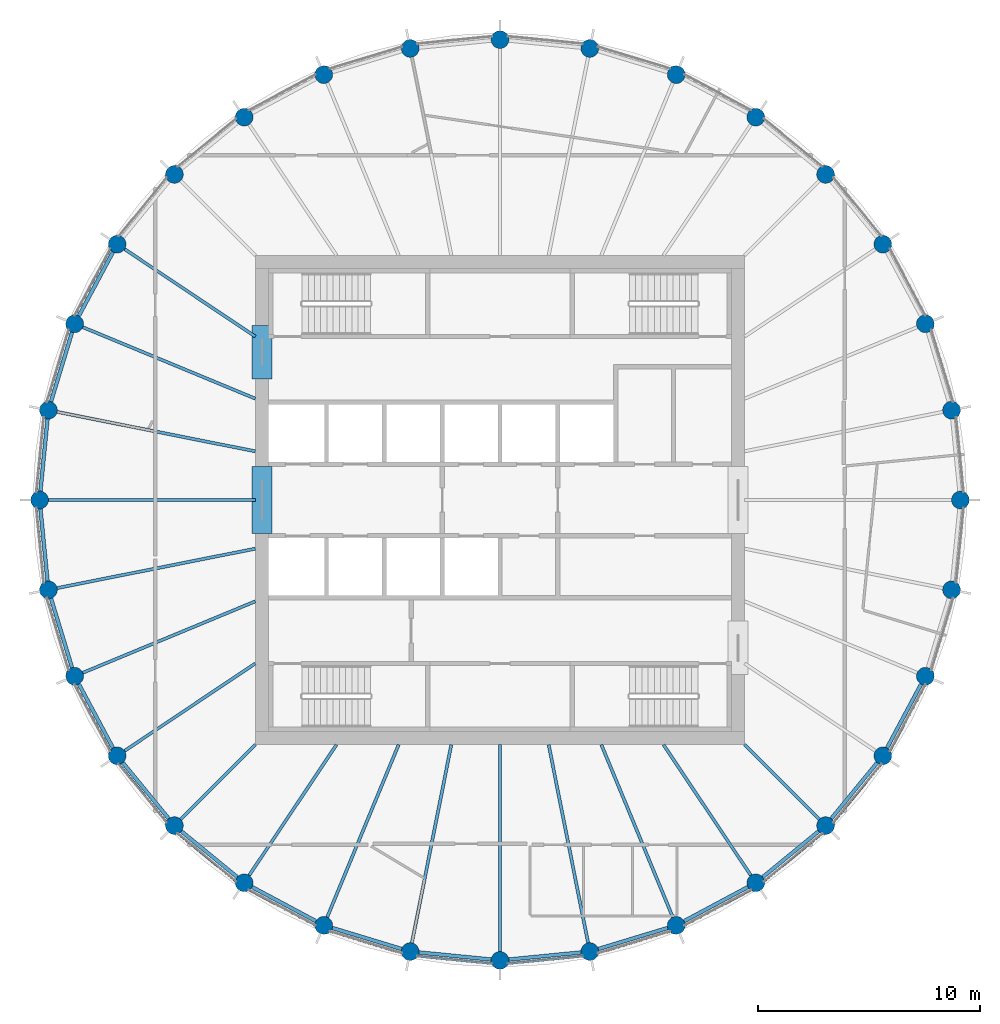
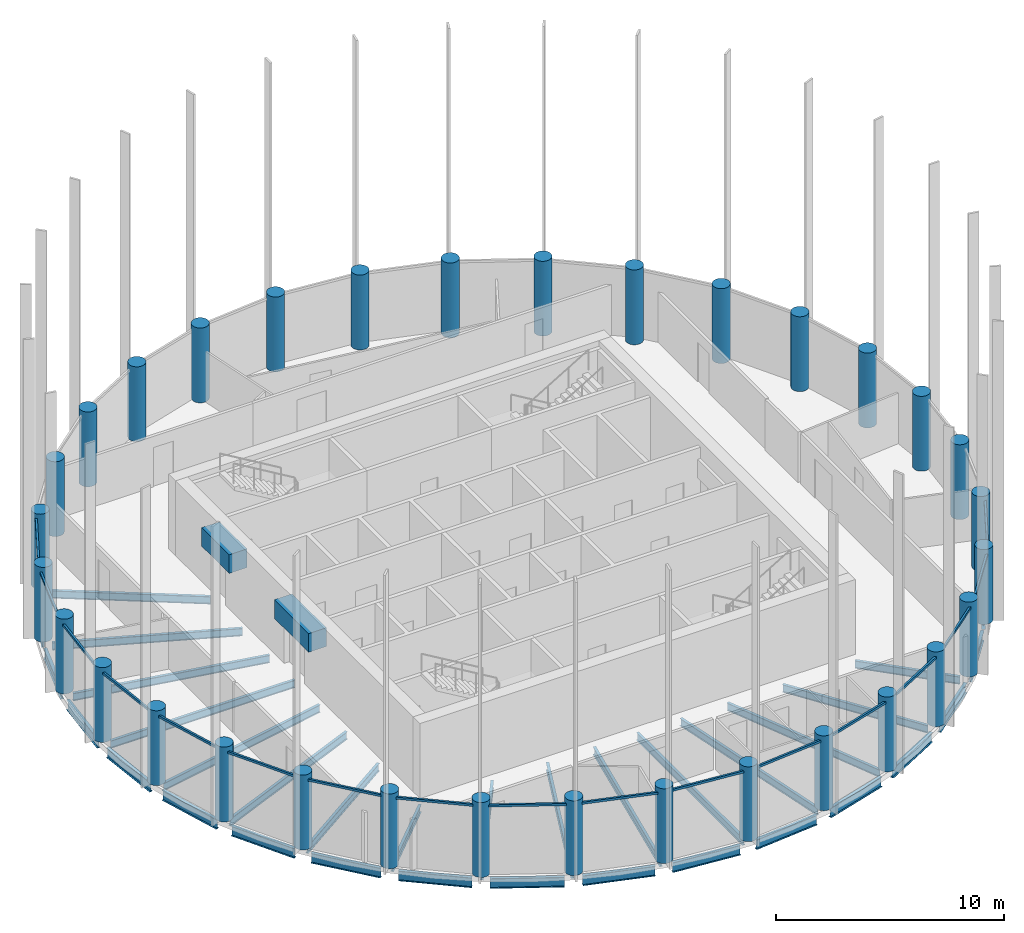
# One storey, part 1 of 7: 35 beams, 32 columns, 17 members, 17 elements without a shape of their own.
"""IFC4 building model written with IfcOpenShell, lengths in metres."""

import ifcopenshell
import ifcopenshell.guid

model = None  # the IFC model being written
_history = None  # IfcOwnerHistory: only IFC2X3 demands one
_inside = {}  # id of a spatial element -> (the spatial element, [elements in it])
_under = {}  # id of a project, library or spatial element -> (it, [spatial elements below it])
_declared = {}  # id of a project -> (the project, [libraries it declares])
_typed = {}  # id of a type object -> (the type object, [elements of that type])
_made_of = {}  # id of a material, layer set ... -> (it, [elements and type objects made of it])


def new_model(schema):
    """Start an empty IFC model of exactly this schema.

    Asked for "IFC4X3", IfcOpenShell would pick the latest addendum, in which some entities
    have other attributes; the version numbers below select the first issue.
    IFC2X3 requires an IfcOwnerHistory on every rooted entity: one is made here for all.
    """
    global model, _history
    if schema == "IFC4X3":
        model = ifcopenshell.file(schema_version=(4, 3, 0, 0))
    else:
        model = ifcopenshell.file(schema=schema)
    _inside.clear()
    _under.clear()
    _declared.clear()
    _typed.clear()
    _made_of.clear()
    _history = None
    if model.schema == "IFC2X3":
        org = make("IfcOrganization", Name="unknown")
        user = make(
            "IfcPersonAndOrganization",
            ThePerson=make("IfcPerson", FamilyName="unknown"),
            TheOrganization=org,
        )
        app = make(
            "IfcApplication",
            ApplicationDeveloper=org,
            Version="unknown",
            ApplicationFullName="unknown",
            ApplicationIdentifier="unknown",
        )
        _history = make(
            "IfcOwnerHistory",
            OwningUser=user,
            OwningApplication=app,
            ChangeAction="ADDED",
            CreationDate=0,
        )
    return model


def make(cls, **values):
    """One entity of the class cls with the attributes given. An attribute that is None is left unset."""
    return model.create_entity(
        cls, **{name: value for name, value in values.items() if value is not None}
    )


def rooted(cls, **values):
    """An entity with a GlobalId (a new one), such as an element, a storey or a relation."""
    return make(cls, GlobalId=ifcopenshell.guid.new(), OwnerHistory=_history, **values)


def si_unit(unit_type, name, prefix=None):
    """IfcSIUnit, for example si_unit("LENGTHUNIT", "METRE", prefix="MILLI")."""
    return make("IfcSIUnit", UnitType=unit_type, Prefix=prefix, Name=name)


def assignment(units):
    """IfcUnitAssignment: the units of a project."""
    return None if units is None else make("IfcUnitAssignment", Units=units)


def point(xyz):
    """IfcCartesianPoint."""
    return None if xyz is None else make("IfcCartesianPoint", Coordinates=xyz)


def direction(xyz):
    """IfcDirection."""
    return None if xyz is None else make("IfcDirection", DirectionRatios=xyz)


def frame(location, z_axis=None, x_axis=None):
    """IfcAxis2Placement3D, a coordinate frame: its origin and axes. An axis left out is left unset."""
    return make(
        "IfcAxis2Placement3D",
        Location=point(location),
        Axis=direction(z_axis),
        RefDirection=direction(x_axis),
    )


def frame_2d(location, x_axis=None):
    """IfcAxis2Placement2D, a coordinate frame in the plane: its origin and x axis."""
    return make(
        "IfcAxis2Placement2D", Location=point(location), RefDirection=direction(x_axis)
    )


def origin():
    """The frame at (0, 0, 0) with its axes left unset."""
    return frame((0.0, 0.0, 0.0))


def origin_2d():
    """The frame at (0, 0) in the plane with its x axis left unset."""
    return frame_2d((0.0, 0.0))


def place(relative_to, where):
    """IfcLocalPlacement: puts the frame where relative to a parent placement (None: the world)."""
    return make(
        "IfcLocalPlacement", PlacementRelTo=relative_to, RelativePlacement=where
    )


def context(
    kind, dimensions, precision=None, world=None, true_north=None, identifier=None
):
    """IfcGeometricRepresentationContext, for example the 3D "Model" context."""
    return make(
        "IfcGeometricRepresentationContext",
        ContextIdentifier=identifier,
        ContextType=kind,
        CoordinateSpaceDimension=dimensions,
        Precision=precision,
        WorldCoordinateSystem=world,
        TrueNorth=true_north,
    )


def subcontext(parent, identifier, kind, view, scale=None):
    """IfcGeometricRepresentationSubContext, for example "Body" below "Model"."""
    return make(
        "IfcGeometricRepresentationSubContext",
        ContextIdentifier=identifier,
        ContextType=kind,
        ParentContext=parent,
        TargetScale=scale,
        TargetView=view,
    )


def project(units=None, contexts=None):
    """IfcProject with its units and contexts."""
    return rooted(
        "IfcProject",
        Name="project",
        RepresentationContexts=contexts,
        UnitsInContext=assignment(units),
    )


def spatial(cls, under=None, at=None, **own):
    """A site, building, storey or space (cls), placed at a placement, below another one or the project."""
    s = rooted(cls, ObjectPlacement=at, **own)
    if under is not None:
        _under.setdefault(under.id(), (under, []))[1].append(s)
    return s


def profile(cls, at=None, kind="AREA", **sizes):
    """A parametric profile (cls). Its sizes go by their IFC names, for example OverallWidth=200.0."""
    return make(cls, ProfileType=kind, Position=at, **sizes)


def rectangle(**sizes):
    """IfcRectangleProfileDef."""
    return profile("IfcRectangleProfileDef", **sizes)


def circle(**sizes):
    """IfcCircleProfileDef."""
    return profile("IfcCircleProfileDef", **sizes)


def i_section(**sizes):
    """IfcIShapeProfileDef."""
    return profile("IfcIShapeProfileDef", **sizes)


def extrude(swept, where, along, depth):
    """IfcExtrudedAreaSolid: the profile swept, set in the frame where, extruded along a direction by depth."""
    return make(
        "IfcExtrudedAreaSolid",
        SweptArea=swept,
        Position=where,
        ExtrudedDirection=direction(along),
        Depth=depth,
    )


def shape(context_of_items, identifier, shape_type, items):
    """IfcShapeRepresentation: the items that make up one representation, for example the "Body"."""
    return make(
        "IfcShapeRepresentation",
        ContextOfItems=context_of_items,
        RepresentationIdentifier=identifier,
        RepresentationType=shape_type,
        Items=items,
    )


def material(Name=None, Category=None):
    """IfcMaterial."""
    return make("IfcMaterial", Name=Name, Category=Category)


def material_profile(
    of_material, cross_section, Name=None, Category=None, Priority=None
):
    """IfcMaterialProfile: a cross section and its material."""
    return make(
        "IfcMaterialProfile",
        Name=Name,
        Material=of_material,
        Profile=cross_section,
        Priority=Priority,
        Category=Category,
    )


def profile_set(profiles, Name=None, composite=None):
    """IfcMaterialProfileSet."""
    return make(
        "IfcMaterialProfileSet",
        Name=Name,
        MaterialProfiles=profiles,
        CompositeProfile=composite,
    )


def made_of(thing, what):
    """Note that an element or type object is made of a material, layer set ...; save() writes the relation."""
    if what is not None:
        _made_of.setdefault(what.id(), (what, []))[1].append(thing)
    return thing


def type_object(cls, material=None, **own):
    """A type object (cls), such as IfcWallType, which elements share."""
    return made_of(rooted(cls, **own), material)


def element(
    cls,
    number,
    at=None,
    inside=None,
    cuts=None,
    type_object=None,
    material=None,
    context=None,
    identifier="Body",
    shape_type=None,
    held_by="IfcProductDefinitionShape",
    body=None,
    shapes=None,
    **own,
):
    """One element of the class cls, such as IfcWall. Its Tag is "e" and its number.

    at: its placement. inside: the storey or other place that contains it. cuts: it is an
    opening in that element (IfcRelVoidsElement). A single representation is given by context,
    identifier, shape_type and body (its items); several are given by shapes. held_by: the class
    of the entity that holds the representations. save() writes the other relations.
    """
    e = rooted(cls, Tag="e%d" % number, ObjectPlacement=at, **own)
    if body is not None:
        shapes = [shape(context, identifier, shape_type, body)]
    if shapes is not None:
        e.Representation = make(held_by, Representations=shapes)
    if inside is not None:
        _inside.setdefault(inside.id(), (inside, []))[1].append(e)
    if cuts is not None:
        rooted(
            "IfcRelVoidsElement", RelatingBuildingElement=cuts, RelatedOpeningElement=e
        )
    if type_object is not None:
        _typed.setdefault(type_object.id(), (type_object, []))[1].append(e)
    return made_of(e, material)


def aggregate(whole, parts):
    """IfcRelAggregates: a whole, such as a stair, and the parts it consists of."""
    return rooted("IfcRelAggregates", RelatingObject=whole, RelatedObjects=parts)


def save(model, path):
    """Write the relations noted so far, then the file.

    IfcRelAggregates (storeys below a building ...), IfcRelContainedInSpatialStructure (elements
    in a storey), IfcRelDefinesByType, IfcRelAssociatesMaterial and IfcRelDeclares: one each for
    every whole, place, type object, material and project.
    """
    for whole, parts in _under.values():
        aggregate(whole, parts)
    for where, things in _inside.values():
        rooted(
            "IfcRelContainedInSpatialStructure",
            RelatedElements=things,
            RelatingStructure=where,
        )
    for kind, things in _typed.values():
        rooted("IfcRelDefinesByType", RelatedObjects=things, RelatingType=kind)
    for what, things in _made_of.values():
        rooted("IfcRelAssociatesMaterial", RelatedObjects=things, RelatingMaterial=what)
    for by, libraries in _declared.values():
        rooted("IfcRelDeclares", RelatingContext=by, RelatedDefinitions=libraries)
    model.write(path)


model = new_model("IFC4")

# Units and contexts
model_context = context("Model", 3, precision=1e-05, world=origin(), true_north=direction((0.0, 1.0)))
body_context = subcontext(model_context, "Body", "Model", "MODEL_VIEW")
ifc_project = project(units=[si_unit("LENGTHUNIT", "METRE"), si_unit("AREAUNIT", "SQUARE_METRE"), si_unit("VOLUMEUNIT", "CUBIC_METRE"), si_unit("PLANEANGLEUNIT", "RADIAN"), si_unit("MASSUNIT", "GRAM", prefix="KILO")], contexts=[model_context])

# Site, building, storey
site_placement = place(None, origin())
site = spatial("IfcSite", under=ifc_project, at=site_placement, CompositionType="ELEMENT")
building_placement = place(site_placement, origin())
building = spatial("IfcBuilding", under=site, at=building_placement, Name="Corvane Civic Tower", CompositionType="ELEMENT")
storey_placement = place(building_placement, frame((0.0, 0.0, 340.5)))
storey = spatial("IfcBuildingStorey", under=building, at=storey_placement, Name="L81", CompositionType="ELEMENT", Elevation=340.5)

# Columns
ifc_material_1 = material(Name="Concrete C60/75", Category="concrete")
ifc_material_profile_1 = material_profile(ifc_material_1, circle(Radius=0.39990234375, at=origin_2d()), Name="COLUMN 800")
ifc_profile_set_1 = profile_set([ifc_material_profile_1], Name="Concrete C60/75")
column_type = type_object("IfcColumnType", Name="RC COLUMN COLUMN 800", PredefinedType="COLUMN", material=ifc_profile_set_1)
for number, where, z_axis, x_axis, name in (
    (1, (0.0, 20.699951171875, 0.0), (0.0, 0.0, 1.0), (1.0, 0.0, 0.0), "COL-L81-F01"),
    (2, (4.038330078125, 20.30224609375, 0.0), (0.0, 0.0, 1.0), (1.0, 0.0, 0.0), "COL-L81-F02"),
    (3, (7.921630859375, 19.124267578125, 0.0), (0.0, 0.0, 1.0), (1.0, 0.0, 0.0), "COL-L81-F03"),
    (4, (11.500244140625, 17.21142578125, 0.0), (0.0, 0.0, 1.0), (1.0, 0.0, 0.0), "COL-L81-F04"),
    (5, (14.63720703125, 14.63720703125, 0.0), (0.0, 0.0, 1.0), (1.0, 0.0, 0.0), "COL-L81-F05"),
    (6, (17.21142578125, 11.500244140625, 0.0), (0.0, 0.0, 1.0), (1.0, 0.0, 0.0), "COL-L81-F06"),
    (7, (19.124267578125, 7.921630859375, 0.0), (0.0, 0.0, 1.0), (1.0, 0.0, 0.0), "COL-L81-F07"),
    (8, (20.30224609375, 4.038330078125, 0.0), (0.0, 0.0, 1.0), (1.0, 0.0, 0.0), "COL-L81-F08"),
    (9, (20.699951171875, 0.0, 0.0), (0.0, 0.0, 1.0), (1.0, 0.0, 0.0), "COL-L81-F09"),
    (10, (20.30224609375, -4.038330078125, 0.0), (0.0, 0.0, 1.0), (1.0, 0.0, 0.0), "COL-L81-F10"),
    (11, (19.124267578125, -7.921630859375, 0.0), (0.0, 0.0, 1.0), (1.0, 0.0, 0.0), "COL-L81-F11"),
    (12, (17.21142578125, -11.500244140625, 0.0), (0.0, 0.0, 1.0), (1.0, 0.0, 0.0), "COL-L81-F12"),
    (13, (14.63720703125, -14.63720703125, 0.0), (0.0, 0.0, 1.0), (1.0, 0.0, 0.0), "COL-L81-F13"),
    (14, (11.500244140625, -17.21142578125, 0.0), (0.0, 0.0, 1.0), (1.0, 0.0, 0.0), "COL-L81-F14"),
    (15, (7.921630859375, -19.124267578125, 0.0), (0.0, 0.0, 1.0), (1.0, 0.0, 0.0), "COL-L81-F15"),
    (16, (4.038330078125, -20.30224609375, 0.0), (0.0, 0.0, 1.0), (1.0, 0.0, 0.0), "COL-L81-F16"),
    (17, (0.0, -20.699951171875, 0.0), (0.0, 0.0, 1.0), (1.0, 0.0, 0.0), "COL-L81-F17"),
    (18, (-4.038330078125, -20.30224609375, 0.0), (0.0, 0.0, 1.0), (1.0, 0.0, 0.0), "COL-L81-F18"),
    (19, (-7.921630859375, -19.124267578125, 0.0), (0.0, 0.0, 1.0), (1.0, 0.0, 0.0), "COL-L81-F19"),
    (20, (-11.500244140625, -17.21142578125, 0.0), (0.0, 0.0, 1.0), (1.0, 0.0, 0.0), "COL-L81-F20"),
    (21, (-14.63720703125, -14.63720703125, 0.0), (0.0, 0.0, 1.0), (1.0, 0.0, 0.0), "COL-L81-F21"),
    (22, (-17.21142578125, -11.500244140625, 0.0), (0.0, 0.0, 1.0), (1.0, 0.0, 0.0), "COL-L81-F22"),
    (23, (-19.124267578125, -7.921630859375, 0.0), (0.0, 0.0, 1.0), (1.0, 0.0, 0.0), "COL-L81-F23"),
    (24, (-20.30224609375, -4.038330078125, 0.0), (0.0, 0.0, 1.0), (1.0, 0.0, 0.0), "COL-L81-F24"),
    (25, (-20.699951171875, 0.0, 0.0), (0.0, 0.0, 1.0), (1.0, 0.0, 0.0), "COL-L81-F25"),
    (26, (-20.30224609375, 4.038330078125, 0.0), (0.0, 0.0, 1.0), (1.0, 0.0, 0.0), "COL-L81-F26"),
    (27, (-19.124267578125, 7.921630859375, 0.0), (0.0, 0.0, 1.0), (1.0, 0.0, 0.0), "COL-L81-F27"),
    (28, (-17.21142578125, 11.500244140625, 0.0), (0.0, 0.0, 1.0), (1.0, 0.0, 0.0), "COL-L81-F28"),
    (29, (-14.63720703125, 14.63720703125, 0.0), (0.0, 0.0, 1.0), (1.0, 0.0, 0.0), "COL-L81-F29"),
    (30, (-11.500244140625, 17.21142578125, 0.0), (0.0, 0.0, 1.0), (1.0, 0.0, 0.0), "COL-L81-F30"),
    (31, (-7.921630859375, 19.124267578125, 0.0), (0.0, 0.0, 1.0), (1.0, 0.0, 0.0), "COL-L81-F31"),
    (32, (-4.038330078125, 20.30224609375, 0.0), (0.0, 0.0, 1.0), (1.0, 0.0, 0.0), "COL-L81-F32"),
):
    element("IfcColumn", number, at=place(storey_placement, frame(where, z_axis=z_axis, x_axis=x_axis)), inside=storey, type_object=column_type, Name=name, PredefinedType="COLUMN", context=body_context, shape_type="SweptSolid", body=[
        extrude(circle(Radius=0.39990234375, at=origin_2d()), origin(), (0.0, 0.0, 1.0), 4.0),
    ])

# Beams
ifc_material_2 = material(Name="Concrete C40/50", Category="concrete")
ifc_material_profile_2 = material_profile(ifc_material_2, rectangle(XDim=0.89990234375, YDim=1.0, at=origin_2d()), Name="COUPLING BEAM 900X1000")
ifc_profile_set_2 = profile_set([ifc_material_profile_2], Name="Concrete C40/50")
beam_type_1 = type_object("IfcBeamType", Name="COUPLING BEAM COUPLING BEAM 900X1000", PredefinedType="BEAM", material=ifc_profile_set_2)
beam_1_placement = place(storey_placement, frame((-10.699951171875, -1.5, 2.60009765625), z_axis=(0.0, 1.0, 0.0), x_axis=(-1.0, 0.0, 0.0)))
element("IfcBeam", 33, at=beam_1_placement, inside=storey, type_object=beam_type_1, Name="BM-L81-cpl-CW-LW", PredefinedType="BEAM", context=body_context, shape_type="SweptSolid", body=[
    extrude(rectangle(XDim=0.89990234375, YDim=1.0, at=origin_2d()), origin(), (0.0, 0.0, 1.0), 3.0),
])
beam_2_placement = place(storey_placement, frame((-10.699951171875, 5.449951171875, 2.60009765625), z_axis=(0.0, 1.0, 0.0), x_axis=(-1.0, 0.0, 0.0)))
element("IfcBeam", 34, at=beam_2_placement, inside=storey, type_object=beam_type_1, Name="BM-L81-cpl-CW-WN", PredefinedType="BEAM", context=body_context, shape_type="SweptSolid", body=[
    extrude(rectangle(XDim=0.89990234375, YDim=1.0, at=origin_2d()), origin(), (0.0, 0.0, 1.0), 2.400146484375),
])
ifc_material_3 = material(Name="Steel ASTM A992 Gr 50", Category="steel")
ifc_material_profile_3 = material_profile(ifc_material_3, i_section(OverallWidth=0.165771484375, OverallDepth=0.5283203125, WebThickness=0.009765625, FlangeThickness=0.013671875, at=origin_2d()), Name="W21X50")
ifc_profile_set_3 = profile_set([ifc_material_profile_3], Name="Steel ASTM A992 Gr 50")
beam_type_2 = type_object("IfcBeamType", Name="EDGE BEAM W21X50", PredefinedType="BEAM", material=ifc_profile_set_3)
for number, where, z_axis, x_axis, name in (
    (35, (18.935791015625, -8.2744140625, -0.564208984375), (-0.471447618, -0.881894065907, 0.0), (0.881894065907, -0.471447618, 0.0), "BM-L81-E11"),
    (36, (16.957763671875, -11.8095703125, -0.564208984375), (-0.634424551454, -0.772984791903, 0.0), (0.772984791903, -0.634424551454, 0.0), "BM-L81-E12"),
    (37, (14.327880859375, -14.890869140625, -0.564208984375), (-0.772984791903, -0.634424551454, 0.0), (0.634424551454, -0.772984791903, 0.0), "BM-L81-E13"),
    (38, (11.1474609375, -17.39990234375, -0.564208984375), (-0.881894065907, -0.471447618, 0.0), (0.471447618, -0.881894065907, 0.0), "BM-L81-E14"),
    (39, (7.538818359375, -19.240478515625, -0.564208984375), (-0.956955679349, -0.290234091317, 0.0), (0.290234091317, -0.956955679349, 0.0), "BM-L81-E15"),
):
    element("IfcBeam", number, at=place(storey_placement, frame(where, z_axis=z_axis, x_axis=x_axis)), inside=storey, type_object=beam_type_2, Name=name, PredefinedType="BEAM", context=body_context, shape_type="SweptSolid", body=[
        extrude(i_section(OverallWidth=0.165771484375, OverallDepth=0.5283203125, WebThickness=0.009765625, FlangeThickness=0.013671875, at=origin_2d()), origin(), (0.0, 0.0, 1.0), 3.2578125),
    ])
for number, where, z_axis, x_axis, name in (
    (40, (3.640380859375, -20.341552734375, -0.564208984375), (-0.995192503142, -0.097938152369, 0.0), (0.097938152369, -0.995192503142, 0.0), "BM-L81-E16"),
    (41, (-0.39794921875, -20.66064453125, -0.564208984375), (-0.995192503142, 0.097938152369, 0.0), (-0.097938152369, -0.995192503142, 0.0), "BM-L81-E17"),
):
    element("IfcBeam", number, at=place(storey_placement, frame(where, z_axis=z_axis, x_axis=x_axis)), inside=storey, type_object=beam_type_2, Name=name, PredefinedType="BEAM", context=body_context, shape_type="SweptSolid", body=[
        extrude(i_section(OverallWidth=0.165771484375, OverallDepth=0.5283203125, WebThickness=0.009765625, FlangeThickness=0.013671875, at=origin_2d()), origin(), (0.0, 0.0, 1.0), 3.258056640625),
    ])
for number, where, z_axis, x_axis, name in (
    (42, (-4.421142578125, -20.18603515625, -0.564208984375), (-0.956955679349, 0.290234091317, 0.0), (-0.290234091317, -0.956955679349, 0.0), "BM-L81-E18"),
    (43, (-8.2744140625, -18.935791015625, -0.564208984375), (-0.881894065907, 0.471447618, 0.0), (-0.471447618, -0.881894065907, 0.0), "BM-L81-E19"),
    (44, (-11.8095703125, -16.957763671875, -0.564208984375), (-0.772984791903, 0.634424551454, 0.0), (-0.634424551454, -0.772984791903, 0.0), "BM-L81-E20"),
    (45, (-14.890869140625, -14.327880859375, -0.564208984375), (-0.634424551454, 0.772984791903, 0.0), (-0.772984791903, -0.634424551454, 0.0), "BM-L81-E21"),
    (46, (-17.39990234375, -11.1474609375, -0.564208984375), (-0.471447618, 0.881894065907, 0.0), (-0.881894065907, -0.471447618, 0.0), "BM-L81-E22"),
    (47, (-19.240478515625, -7.538818359375, -0.564208984375), (-0.290234091317, 0.956955679349, 0.0), (-0.956955679349, -0.290234091317, 0.0), "BM-L81-E23"),
):
    element("IfcBeam", number, at=place(storey_placement, frame(where, z_axis=z_axis, x_axis=x_axis)), inside=storey, type_object=beam_type_2, Name=name, PredefinedType="BEAM", context=body_context, shape_type="SweptSolid", body=[
        extrude(i_section(OverallWidth=0.165771484375, OverallDepth=0.5283203125, WebThickness=0.009765625, FlangeThickness=0.013671875, at=origin_2d()), origin(), (0.0, 0.0, 1.0), 3.2578125),
    ])
for number, where, z_axis, x_axis, name in (
    (48, (-20.341552734375, -3.640380859375, -0.564208984375), (-0.097938152369, 0.995192503142, 0.0), (-0.995192503142, -0.097938152369, 0.0), "BM-L81-E24"),
    (49, (-20.66064453125, 0.39794921875, -0.564208984375), (0.097938152369, 0.995192503142, 0.0), (-0.995192503142, 0.097938152369, 0.0), "BM-L81-E25"),
):
    element("IfcBeam", number, at=place(storey_placement, frame(where, z_axis=z_axis, x_axis=x_axis)), inside=storey, type_object=beam_type_2, Name=name, PredefinedType="BEAM", context=body_context, shape_type="SweptSolid", body=[
        extrude(i_section(OverallWidth=0.165771484375, OverallDepth=0.5283203125, WebThickness=0.009765625, FlangeThickness=0.013671875, at=origin_2d()), origin(), (0.0, 0.0, 1.0), 3.258056640625),
    ])
for number, where, z_axis, x_axis, name in (
    (50, (-20.18603515625, 4.421142578125, -0.564208984375), (0.290234091317, 0.956955679349, 0.0), (-0.956955679349, 0.290234091317, 0.0), "BM-L81-E26"),
    (51, (-18.935791015625, 8.2744140625, -0.564208984375), (0.471447618, 0.881894065907, 0.0), (-0.881894065907, 0.471447618, 0.0), "BM-L81-E27"),
):
    element("IfcBeam", number, at=place(storey_placement, frame(where, z_axis=z_axis, x_axis=x_axis)), inside=storey, type_object=beam_type_2, Name=name, PredefinedType="BEAM", context=body_context, shape_type="SweptSolid", body=[
        extrude(i_section(OverallWidth=0.165771484375, OverallDepth=0.5283203125, WebThickness=0.009765625, FlangeThickness=0.013671875, at=origin_2d()), origin(), (0.0, 0.0, 1.0), 3.2578125),
    ])
ifc_material_4 = material(Name="Steel ASTM A992 Gr 50", Category="steel")
ifc_material_profile_4 = material_profile(ifc_material_4, i_section(OverallWidth=0.140380859375, OverallDepth=0.40380859375, WebThickness=0.007080078125, FlangeThickness=0.01123046875, at=origin_2d()), Name="W16X31")
ifc_profile_set_4 = profile_set([ifc_material_profile_4], Name="Steel ASTM A992 Gr 50")
beam_type_3 = type_object("IfcBeamType", Name="FLOOR GIRDER W16X31", PredefinedType="BEAM", material=ifc_profile_set_4)
beam_3_placement = place(storey_placement, frame((11.0, -11.0, -0.501953125), z_axis=(0.707106781187, -0.707106781187, 0.0), x_axis=(0.707106781187, 0.707106781187, 0.0)))
element("IfcBeam", 52, at=beam_3_placement, inside=storey, type_object=beam_type_3, Name="BM-L81-G13", PredefinedType="BEAM", context=body_context, shape_type="SweptSolid", body=[
    extrude(i_section(OverallWidth=0.140380859375, OverallDepth=0.40380859375, WebThickness=0.007080078125, FlangeThickness=0.01123046875, at=origin_2d()), origin(), (0.0, 0.0, 1.0), 4.74365234375),
])
beam_4_placement = place(storey_placement, frame((7.349853515625, -11.0, -0.501953125), z_axis=(0.555576401385, -0.831465490699, 0.0), x_axis=(0.831465490699, 0.555576401385, 0.0)))
element("IfcBeam", 53, at=beam_4_placement, inside=storey, type_object=beam_type_3, Name="BM-L81-G14", PredefinedType="BEAM", context=body_context, shape_type="SweptSolid", body=[
    extrude(i_section(OverallWidth=0.140380859375, OverallDepth=0.40380859375, WebThickness=0.007080078125, FlangeThickness=0.01123046875, at=origin_2d()), origin(), (0.0, 0.0, 1.0), 7.070556640625),
])
beam_5_placement = place(storey_placement, frame((4.556396484375, -11.0, -0.501953125), z_axis=(0.382691739894, -0.923876091377, 0.0), x_axis=(0.923876091377, 0.382691739894, 0.0)))
element("IfcBeam", 54, at=beam_5_placement, inside=storey, type_object=beam_type_3, Name="BM-L81-G15", PredefinedType="BEAM", context=body_context, shape_type="SweptSolid", body=[
    extrude(i_section(OverallWidth=0.140380859375, OverallDepth=0.40380859375, WebThickness=0.007080078125, FlangeThickness=0.01123046875, at=origin_2d()), origin(), (0.0, 0.0, 1.0), 8.3935546875),
])
beam_6_placement = place(storey_placement, frame((2.18798828125, -11.0, -0.501953125), z_axis=(0.195108241061, -0.980781715913, 0.0), x_axis=(0.980781715913, 0.195108241061, 0.0)))
element("IfcBeam", 55, at=beam_6_placement, inside=storey, type_object=beam_type_3, Name="BM-L81-G16", PredefinedType="BEAM", context=body_context, shape_type="SweptSolid", body=[
    extrude(i_section(OverallWidth=0.140380859375, OverallDepth=0.40380859375, WebThickness=0.007080078125, FlangeThickness=0.01123046875, at=origin_2d()), origin(), (0.0, 0.0, 1.0), 9.08447265625),
])
beam_7_placement = place(storey_placement, frame((0.0, -11.0, -0.501953125), z_axis=(0.0, -1.0, 0.0), x_axis=(1.0, 0.0, 0.0)))
element("IfcBeam", 56, at=beam_7_placement, inside=storey, type_object=beam_type_3, Name="BM-L81-G17", PredefinedType="BEAM", context=body_context, shape_type="SweptSolid", body=[
    extrude(i_section(OverallWidth=0.140380859375, OverallDepth=0.40380859375, WebThickness=0.007080078125, FlangeThickness=0.01123046875, at=origin_2d()), origin(), (0.0, 0.0, 1.0), 9.300048828125),
])
beam_8_placement = place(storey_placement, frame((-2.18798828125, -11.0, -0.501953125), z_axis=(-0.195108241061, -0.980781715913, 0.0), x_axis=(0.980781715913, -0.195108241061, 0.0)))
element("IfcBeam", 57, at=beam_8_placement, inside=storey, type_object=beam_type_3, Name="BM-L81-G18", PredefinedType="BEAM", context=body_context, shape_type="SweptSolid", body=[
    extrude(i_section(OverallWidth=0.140380859375, OverallDepth=0.40380859375, WebThickness=0.007080078125, FlangeThickness=0.01123046875, at=origin_2d()), origin(), (0.0, 0.0, 1.0), 9.08447265625),
])
beam_9_placement = place(storey_placement, frame((-4.556396484375, -11.0, -0.501953125), z_axis=(-0.382691739894, -0.923876091377, 0.0), x_axis=(0.923876091377, -0.382691739894, 0.0)))
element("IfcBeam", 58, at=beam_9_placement, inside=storey, type_object=beam_type_3, Name="BM-L81-G19", PredefinedType="BEAM", context=body_context, shape_type="SweptSolid", body=[
    extrude(i_section(OverallWidth=0.140380859375, OverallDepth=0.40380859375, WebThickness=0.007080078125, FlangeThickness=0.01123046875, at=origin_2d()), origin(), (0.0, 0.0, 1.0), 8.3935546875),
])
beam_10_placement = place(storey_placement, frame((-7.349853515625, -11.0, -0.501953125), z_axis=(-0.555576401385, -0.831465490699, 0.0), x_axis=(0.831465490699, -0.555576401385, 0.0)))
element("IfcBeam", 59, at=beam_10_placement, inside=storey, type_object=beam_type_3, Name="BM-L81-G20", PredefinedType="BEAM", context=body_context, shape_type="SweptSolid", body=[
    extrude(i_section(OverallWidth=0.140380859375, OverallDepth=0.40380859375, WebThickness=0.007080078125, FlangeThickness=0.01123046875, at=origin_2d()), origin(), (0.0, 0.0, 1.0), 7.070556640625),
])
beam_11_placement = place(storey_placement, frame((-11.0, -11.0, -0.501953125), z_axis=(-0.707106781187, -0.707106781187, 0.0), x_axis=(0.707106781187, -0.707106781187, 0.0)))
element("IfcBeam", 60, at=beam_11_placement, inside=storey, type_object=beam_type_3, Name="BM-L81-G21", PredefinedType="BEAM", context=body_context, shape_type="SweptSolid", body=[
    extrude(i_section(OverallWidth=0.140380859375, OverallDepth=0.40380859375, WebThickness=0.007080078125, FlangeThickness=0.01123046875, at=origin_2d()), origin(), (0.0, 0.0, 1.0), 4.74365234375),
])
beam_12_placement = place(storey_placement, frame((-11.0, -7.349853515625, -0.501953125), z_axis=(-0.831465490699, -0.555576401385, 0.0), x_axis=(0.555576401385, -0.831465490699, 0.0)))
element("IfcBeam", 61, at=beam_12_placement, inside=storey, type_object=beam_type_3, Name="BM-L81-G22", PredefinedType="BEAM", context=body_context, shape_type="SweptSolid", body=[
    extrude(i_section(OverallWidth=0.140380859375, OverallDepth=0.40380859375, WebThickness=0.007080078125, FlangeThickness=0.01123046875, at=origin_2d()), origin(), (0.0, 0.0, 1.0), 7.070556640625),
])
beam_13_placement = place(storey_placement, frame((-11.0, -4.556396484375, -0.501953125), z_axis=(-0.923876091377, -0.382691739894, 0.0), x_axis=(0.382691739894, -0.923876091377, 0.0)))
element("IfcBeam", 62, at=beam_13_placement, inside=storey, type_object=beam_type_3, Name="BM-L81-G23", PredefinedType="BEAM", context=body_context, shape_type="SweptSolid", body=[
    extrude(i_section(OverallWidth=0.140380859375, OverallDepth=0.40380859375, WebThickness=0.007080078125, FlangeThickness=0.01123046875, at=origin_2d()), origin(), (0.0, 0.0, 1.0), 8.3935546875),
])
beam_14_placement = place(storey_placement, frame((-11.0, -2.18798828125, -0.501953125), z_axis=(-0.980781715913, -0.195108241061, 0.0), x_axis=(0.195108241061, -0.980781715913, 0.0)))
element("IfcBeam", 63, at=beam_14_placement, inside=storey, type_object=beam_type_3, Name="BM-L81-G24", PredefinedType="BEAM", context=body_context, shape_type="SweptSolid", body=[
    extrude(i_section(OverallWidth=0.140380859375, OverallDepth=0.40380859375, WebThickness=0.007080078125, FlangeThickness=0.01123046875, at=origin_2d()), origin(), (0.0, 0.0, 1.0), 9.08447265625),
])
beam_15_placement = place(storey_placement, frame((-11.0, 0.0, -0.501953125), z_axis=(-1.0, 0.0, 0.0), x_axis=(0.0, -1.0, 0.0)))
element("IfcBeam", 64, at=beam_15_placement, inside=storey, type_object=beam_type_3, Name="BM-L81-G25", PredefinedType="BEAM", context=body_context, shape_type="SweptSolid", body=[
    extrude(i_section(OverallWidth=0.140380859375, OverallDepth=0.40380859375, WebThickness=0.007080078125, FlangeThickness=0.01123046875, at=origin_2d()), origin(), (0.0, 0.0, 1.0), 9.300048828125),
])
beam_16_placement = place(storey_placement, frame((-11.0, 2.18798828125, -0.501953125), z_axis=(-0.980781715913, 0.195108241061, 0.0), x_axis=(-0.195108241061, -0.980781715913, 0.0)))
element("IfcBeam", 65, at=beam_16_placement, inside=storey, type_object=beam_type_3, Name="BM-L81-G26", PredefinedType="BEAM", context=body_context, shape_type="SweptSolid", body=[
    extrude(i_section(OverallWidth=0.140380859375, OverallDepth=0.40380859375, WebThickness=0.007080078125, FlangeThickness=0.01123046875, at=origin_2d()), origin(), (0.0, 0.0, 1.0), 9.08447265625),
])
beam_17_placement = place(storey_placement, frame((-11.0, 4.556396484375, -0.501953125), z_axis=(-0.923876091377, 0.382691739894, 0.0), x_axis=(-0.382691739894, -0.923876091377, 0.0)))
element("IfcBeam", 66, at=beam_17_placement, inside=storey, type_object=beam_type_3, Name="BM-L81-G27", PredefinedType="BEAM", context=body_context, shape_type="SweptSolid", body=[
    extrude(i_section(OverallWidth=0.140380859375, OverallDepth=0.40380859375, WebThickness=0.007080078125, FlangeThickness=0.01123046875, at=origin_2d()), origin(), (0.0, 0.0, 1.0), 8.3935546875),
])
beam_18_placement = place(storey_placement, frame((-11.0, 7.349853515625, -0.501953125), z_axis=(-0.831465490699, 0.555576401385, 0.0), x_axis=(-0.555576401385, -0.831465490699, 0.0)))
element("IfcBeam", 67, at=beam_18_placement, inside=storey, type_object=beam_type_3, Name="BM-L81-G28", PredefinedType="BEAM", context=body_context, shape_type="SweptSolid", body=[
    extrude(i_section(OverallWidth=0.140380859375, OverallDepth=0.40380859375, WebThickness=0.007080078125, FlangeThickness=0.01123046875, at=origin_2d()), origin(), (0.0, 0.0, 1.0), 7.070556640625),
])

# Curtain wall, member
ifc_material_5 = material(Name="Anodised aluminium bronze", Category="aluminium")
curtain_wall_type = type_object("IfcCurtainWallType", Name="TOWER CW-T3 STICK CURTAIN WALL", PredefinedType="NOTDEFINED", material=ifc_material_5)
curtain_wall_1_placement = place(storey_placement, origin())
curtain_wall_1 = element("IfcCurtainWall", 68, at=curtain_wall_1_placement, inside=storey, type_object=curtain_wall_type, Name="Curtain wall CW-T3 L81 bay 11", PredefinedType="NOTDEFINED")
ifc_material_6 = material(Name="Anodised aluminium bronze", Category="aluminium")
ifc_material_profile_5 = material_profile(ifc_material_6, rectangle(XDim=0.10009765625, YDim=0.1201171875, at=origin_2d()), Name="TOWER CW-T3 TRANSOM 100x120")
ifc_profile_set_5 = profile_set([ifc_material_profile_5], Name="Anodised aluminium bronze")
member_type = type_object("IfcMemberType", Name="TOWER CW-T3 TRANSOM 100x120", PredefinedType="USERDEFINED", material=ifc_profile_set_5)
member_1_placement = place(storey_placement, frame((19.127685546875, -8.294921875, 3.68994140625), z_axis=(-0.471358988063, -0.881941440444, 0.0), x_axis=(0.881941440444, -0.471358988063, 0.0)))
member_1 = element("IfcMember", 69, at=member_1_placement, type_object=member_type, Name="Transom CW-T3 L81 11.1", ObjectType="TRANSOM", PredefinedType="USERDEFINED", context=body_context, shape_type="SweptSolid", body=[
    extrude(rectangle(XDim=0.10009765625, YDim=0.1201171875, at=origin_2d()), origin(), (0.0, 0.0, 1.0), 3.40234375),
])
aggregate(curtain_wall_1, [member_1])

curtain_wall_2_placement = place(storey_placement, origin())
curtain_wall_2 = element("IfcCurtainWall", 70, at=curtain_wall_2_placement, inside=storey, type_object=curtain_wall_type, Name="Curtain wall CW-T3 L81 bay 12", PredefinedType="NOTDEFINED")
member_2_placement = place(storey_placement, frame((17.14208984375, -11.8671875, 3.68994140625), z_axis=(-0.634393571736, -0.773010217358, 0.0), x_axis=(0.773010217358, -0.634393571736, 0.0)))
member_2 = element("IfcMember", 71, at=member_2_placement, type_object=member_type, Name="Transom CW-T3 L81 12.1", ObjectType="TRANSOM", PredefinedType="USERDEFINED", context=body_context, shape_type="SweptSolid", body=[
    extrude(rectangle(XDim=0.10009765625, YDim=0.1201171875, at=origin_2d()), origin(), (0.0, 0.0, 1.0), 3.40283203125),
])
aggregate(curtain_wall_2, [member_2])

curtain_wall_3_placement = place(storey_placement, origin())
curtain_wall_3 = element("IfcCurtainWall", 72, at=curtain_wall_3_placement, inside=storey, type_object=curtain_wall_type, Name="Curtain wall CW-T3 L81 bay 13", PredefinedType="NOTDEFINED")
member_3_placement = place(storey_placement, frame((14.49755859375, -14.9833984375, 3.68994140625), z_axis=(-0.773010217358, -0.634393571736, 0.0), x_axis=(0.634393571736, -0.773010217358, 0.0)))
member_3 = element("IfcMember", 73, at=member_3_placement, type_object=member_type, Name="Transom CW-T3 L81 13.1", ObjectType="TRANSOM", PredefinedType="USERDEFINED", context=body_context, shape_type="SweptSolid", body=[
    extrude(rectangle(XDim=0.10009765625, YDim=0.1201171875, at=origin_2d()), origin(), (0.0, 0.0, 1.0), 3.40283203125),
])
aggregate(curtain_wall_3, [member_3])

curtain_wall_4_placement = place(storey_placement, origin())
curtain_wall_4 = element("IfcCurtainWall", 74, at=curtain_wall_4_placement, inside=storey, type_object=curtain_wall_type, Name="Curtain wall CW-T3 L81 bay 14", PredefinedType="NOTDEFINED")
member_4_placement = place(storey_placement, frame((11.295654296875, -17.52392578125, 3.68994140625), z_axis=(-0.881941440444, -0.471358988063, 0.0), x_axis=(0.471358988063, -0.881941440444, 0.0)))
member_4 = element("IfcMember", 75, at=member_4_placement, type_object=member_type, Name="Transom CW-T3 L81 14.1", ObjectType="TRANSOM", PredefinedType="USERDEFINED", context=body_context, shape_type="SweptSolid", body=[
    extrude(rectangle(XDim=0.10009765625, YDim=0.1201171875, at=origin_2d()), origin(), (0.0, 0.0, 1.0), 3.40234375),
])
aggregate(curtain_wall_4, [member_4])

curtain_wall_5_placement = place(storey_placement, origin())
curtain_wall_5 = element("IfcCurtainWall", 76, at=curtain_wall_5_placement, inside=storey, type_object=curtain_wall_type, Name="Curtain wall CW-T3 L81 bay 15", PredefinedType="NOTDEFINED")
member_5_placement = place(storey_placement, frame((7.66015625, -19.390869140625, 3.68994140625), z_axis=(-0.956961022204, -0.290216474345, 0.0), x_axis=(0.290216474345, -0.956961022204, 0.0)))
member_5 = element("IfcMember", 77, at=member_5_placement, type_object=member_type, Name="Transom CW-T3 L81 15.1", ObjectType="TRANSOM", PredefinedType="USERDEFINED", context=body_context, shape_type="SweptSolid", body=[
    extrude(rectangle(XDim=0.10009765625, YDim=0.1201171875, at=origin_2d()), origin(), (0.0, 0.0, 1.0), 3.40283203125),
])
aggregate(curtain_wall_5, [member_5])

curtain_wall_6_placement = place(storey_placement, origin())
curtain_wall_6 = element("IfcCurtainWall", 78, at=curtain_wall_6_placement, inside=storey, type_object=curtain_wall_type, Name="Curtain wall CW-T3 L81 bay 16", PredefinedType="NOTDEFINED")
member_6_placement = place(storey_placement, frame((3.729736328125, -20.5126953125, 3.68994140625), z_axis=(-0.995191564676, -0.097947688066, 0.0), x_axis=(0.097947688066, -0.995191564676, 0.0)))
member_6 = element("IfcMember", 79, at=member_6_placement, type_object=member_type, Name="Transom CW-T3 L81 16.1", ObjectType="TRANSOM", PredefinedType="USERDEFINED", context=body_context, shape_type="SweptSolid", body=[
    extrude(rectangle(XDim=0.10009765625, YDim=0.1201171875, at=origin_2d()), origin(), (0.0, 0.0, 1.0), 3.40234375),
])
aggregate(curtain_wall_6, [member_6])

curtain_wall_7_placement = place(storey_placement, origin())
curtain_wall_7 = element("IfcCurtainWall", 80, at=curtain_wall_7_placement, inside=storey, type_object=curtain_wall_type, Name="Curtain wall CW-T3 L81 bay 17", PredefinedType="NOTDEFINED")
member_7_placement = place(storey_placement, frame((-0.34375, -20.845947265625, 3.68994140625), z_axis=(-0.995191564676, 0.097947688066, 0.0), x_axis=(-0.097947688066, -0.995191564676, 0.0)))
member_7 = element("IfcMember", 81, at=member_7_placement, type_object=member_type, Name="Transom CW-T3 L81 17.1", ObjectType="TRANSOM", PredefinedType="USERDEFINED", context=body_context, shape_type="SweptSolid", body=[
    extrude(rectangle(XDim=0.10009765625, YDim=0.1201171875, at=origin_2d()), origin(), (0.0, 0.0, 1.0), 3.40234375),
])
aggregate(curtain_wall_7, [member_7])

curtain_wall_8_placement = place(storey_placement, origin())
curtain_wall_8 = element("IfcCurtainWall", 82, at=curtain_wall_8_placement, inside=storey, type_object=curtain_wall_type, Name="Curtain wall CW-T3 L81 bay 18", PredefinedType="NOTDEFINED")
member_8_placement = place(storey_placement, frame((-4.40380859375, -20.37841796875, 3.68994140625), z_axis=(-0.956961022204, 0.290216474345, 0.0), x_axis=(-0.290216474345, -0.956961022204, 0.0)))
member_8 = element("IfcMember", 83, at=member_8_placement, type_object=member_type, Name="Transom CW-T3 L81 18.1", ObjectType="TRANSOM", PredefinedType="USERDEFINED", context=body_context, shape_type="SweptSolid", body=[
    extrude(rectangle(XDim=0.10009765625, YDim=0.1201171875, at=origin_2d()), origin(), (0.0, 0.0, 1.0), 3.40283203125),
])
aggregate(curtain_wall_8, [member_8])

curtain_wall_9_placement = place(storey_placement, origin())
curtain_wall_9 = element("IfcCurtainWall", 84, at=curtain_wall_9_placement, inside=storey, type_object=curtain_wall_type, Name="Curtain wall CW-T3 L81 bay 19", PredefinedType="NOTDEFINED")
member_9_placement = place(storey_placement, frame((-8.294921875, -19.127685546875, 3.68994140625), z_axis=(-0.881941440444, 0.471358988063, 0.0), x_axis=(-0.471358988063, -0.881941440444, 0.0)))
member_9 = element("IfcMember", 85, at=member_9_placement, type_object=member_type, Name="Transom CW-T3 L81 19.1", ObjectType="TRANSOM", PredefinedType="USERDEFINED", context=body_context, shape_type="SweptSolid", body=[
    extrude(rectangle(XDim=0.10009765625, YDim=0.1201171875, at=origin_2d()), origin(), (0.0, 0.0, 1.0), 3.40234375),
])
aggregate(curtain_wall_9, [member_9])

curtain_wall_10_placement = place(storey_placement, origin())
curtain_wall_10 = element("IfcCurtainWall", 86, at=curtain_wall_10_placement, inside=storey, type_object=curtain_wall_type, Name="Curtain wall CW-T3 L81 bay 20", PredefinedType="NOTDEFINED")
member_10_placement = place(storey_placement, frame((-11.8671875, -17.14208984375, 3.68994140625), z_axis=(-0.773010217358, 0.634393571736, 0.0), x_axis=(-0.634393571736, -0.773010217358, 0.0)))
member_10 = element("IfcMember", 87, at=member_10_placement, type_object=member_type, Name="Transom CW-T3 L81 20.1", ObjectType="TRANSOM", PredefinedType="USERDEFINED", context=body_context, shape_type="SweptSolid", body=[
    extrude(rectangle(XDim=0.10009765625, YDim=0.1201171875, at=origin_2d()), origin(), (0.0, 0.0, 1.0), 3.40283203125),
])
aggregate(curtain_wall_10, [member_10])

curtain_wall_11_placement = place(storey_placement, origin())
curtain_wall_11 = element("IfcCurtainWall", 88, at=curtain_wall_11_placement, inside=storey, type_object=curtain_wall_type, Name="Curtain wall CW-T3 L81 bay 21", PredefinedType="NOTDEFINED")
member_11_placement = place(storey_placement, frame((-14.9833984375, -14.49755859375, 3.68994140625), z_axis=(-0.634393571736, 0.773010217358, 0.0), x_axis=(-0.773010217358, -0.634393571736, 0.0)))
member_11 = element("IfcMember", 89, at=member_11_placement, type_object=member_type, Name="Transom CW-T3 L81 21.1", ObjectType="TRANSOM", PredefinedType="USERDEFINED", context=body_context, shape_type="SweptSolid", body=[
    extrude(rectangle(XDim=0.10009765625, YDim=0.1201171875, at=origin_2d()), origin(), (0.0, 0.0, 1.0), 3.40283203125),
])
aggregate(curtain_wall_11, [member_11])

curtain_wall_12_placement = place(storey_placement, origin())
curtain_wall_12 = element("IfcCurtainWall", 90, at=curtain_wall_12_placement, inside=storey, type_object=curtain_wall_type, Name="Curtain wall CW-T3 L81 bay 22", PredefinedType="NOTDEFINED")
member_12_placement = place(storey_placement, frame((-17.52392578125, -11.295654296875, 3.68994140625), z_axis=(-0.471358988063, 0.881941440444, 0.0), x_axis=(-0.881941440444, -0.471358988063, 0.0)))
member_12 = element("IfcMember", 91, at=member_12_placement, type_object=member_type, Name="Transom CW-T3 L81 22.1", ObjectType="TRANSOM", PredefinedType="USERDEFINED", context=body_context, shape_type="SweptSolid", body=[
    extrude(rectangle(XDim=0.10009765625, YDim=0.1201171875, at=origin_2d()), origin(), (0.0, 0.0, 1.0), 3.40234375),
])
aggregate(curtain_wall_12, [member_12])

curtain_wall_13_placement = place(storey_placement, origin())
curtain_wall_13 = element("IfcCurtainWall", 92, at=curtain_wall_13_placement, inside=storey, type_object=curtain_wall_type, Name="Curtain wall CW-T3 L81 bay 23", PredefinedType="NOTDEFINED")
member_13_placement = place(storey_placement, frame((-19.390869140625, -7.66015625, 3.68994140625), z_axis=(-0.290216474345, 0.956961022204, 0.0), x_axis=(-0.956961022204, -0.290216474345, 0.0)))
member_13 = element("IfcMember", 93, at=member_13_placement, type_object=member_type, Name="Transom CW-T3 L81 23.1", ObjectType="TRANSOM", PredefinedType="USERDEFINED", context=body_context, shape_type="SweptSolid", body=[
    extrude(rectangle(XDim=0.10009765625, YDim=0.1201171875, at=origin_2d()), origin(), (0.0, 0.0, 1.0), 3.40283203125),
])
aggregate(curtain_wall_13, [member_13])

curtain_wall_14_placement = place(storey_placement, origin())
curtain_wall_14 = element("IfcCurtainWall", 94, at=curtain_wall_14_placement, inside=storey, type_object=curtain_wall_type, Name="Curtain wall CW-T3 L81 bay 24", PredefinedType="NOTDEFINED")
member_14_placement = place(storey_placement, frame((-20.5126953125, -3.729736328125, 3.68994140625), z_axis=(-0.097947688066, 0.995191564676, 0.0), x_axis=(-0.995191564676, -0.097947688066, 0.0)))
member_14 = element("IfcMember", 95, at=member_14_placement, type_object=member_type, Name="Transom CW-T3 L81 24.1", ObjectType="TRANSOM", PredefinedType="USERDEFINED", context=body_context, shape_type="SweptSolid", body=[
    extrude(rectangle(XDim=0.10009765625, YDim=0.1201171875, at=origin_2d()), origin(), (0.0, 0.0, 1.0), 3.40234375),
])
aggregate(curtain_wall_14, [member_14])

curtain_wall_15_placement = place(storey_placement, origin())
curtain_wall_15 = element("IfcCurtainWall", 96, at=curtain_wall_15_placement, inside=storey, type_object=curtain_wall_type, Name="Curtain wall CW-T3 L81 bay 25", PredefinedType="NOTDEFINED")
member_15_placement = place(storey_placement, frame((-20.845947265625, 0.34375, 3.68994140625), z_axis=(0.097947688066, 0.995191564676, 0.0), x_axis=(-0.995191564676, 0.097947688066, 0.0)))
member_15 = element("IfcMember", 97, at=member_15_placement, type_object=member_type, Name="Transom CW-T3 L81 25.1", ObjectType="TRANSOM", PredefinedType="USERDEFINED", context=body_context, shape_type="SweptSolid", body=[
    extrude(rectangle(XDim=0.10009765625, YDim=0.1201171875, at=origin_2d()), origin(), (0.0, 0.0, 1.0), 3.40234375),
])
aggregate(curtain_wall_15, [member_15])

curtain_wall_16_placement = place(storey_placement, origin())
curtain_wall_16 = element("IfcCurtainWall", 98, at=curtain_wall_16_placement, inside=storey, type_object=curtain_wall_type, Name="Curtain wall CW-T3 L81 bay 26", PredefinedType="NOTDEFINED")
member_16_placement = place(storey_placement, frame((-20.37841796875, 4.40380859375, 3.68994140625), z_axis=(0.290216474345, 0.956961022204, 0.0), x_axis=(-0.956961022204, 0.290216474345, 0.0)))
member_16 = element("IfcMember", 99, at=member_16_placement, type_object=member_type, Name="Transom CW-T3 L81 26.1", ObjectType="TRANSOM", PredefinedType="USERDEFINED", context=body_context, shape_type="SweptSolid", body=[
    extrude(rectangle(XDim=0.10009765625, YDim=0.1201171875, at=origin_2d()), origin(), (0.0, 0.0, 1.0), 3.40283203125),
])
aggregate(curtain_wall_16, [member_16])

curtain_wall_17_placement = place(storey_placement, origin())
curtain_wall_17 = element("IfcCurtainWall", 100, at=curtain_wall_17_placement, inside=storey, type_object=curtain_wall_type, Name="Curtain wall CW-T3 L81 bay 27", PredefinedType="NOTDEFINED")
member_17_placement = place(storey_placement, frame((-19.127685546875, 8.294921875, 3.68994140625), z_axis=(0.471358988063, 0.881941440444, 0.0), x_axis=(-0.881941440444, 0.471358988063, 0.0)))
member_17 = element("IfcMember", 101, at=member_17_placement, type_object=member_type, Name="Transom CW-T3 L81 27.1", ObjectType="TRANSOM", PredefinedType="USERDEFINED", context=body_context, shape_type="SweptSolid", body=[
    extrude(rectangle(XDim=0.10009765625, YDim=0.1201171875, at=origin_2d()), origin(), (0.0, 0.0, 1.0), 3.40234375),
])
aggregate(curtain_wall_17, [member_17])

save(model, "model.ifc")
